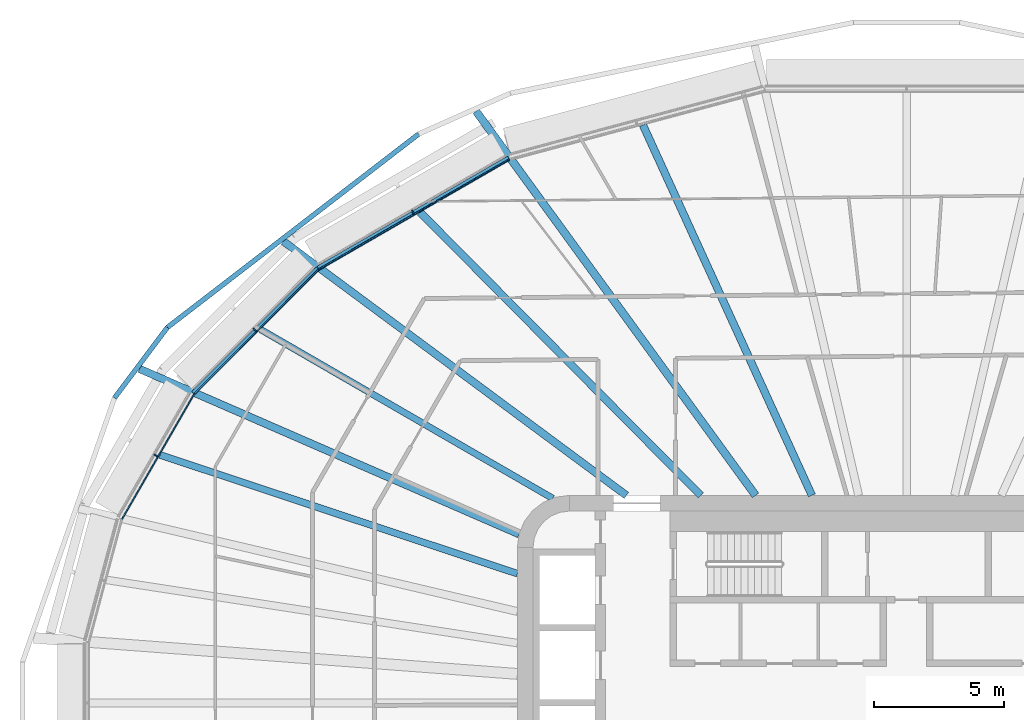
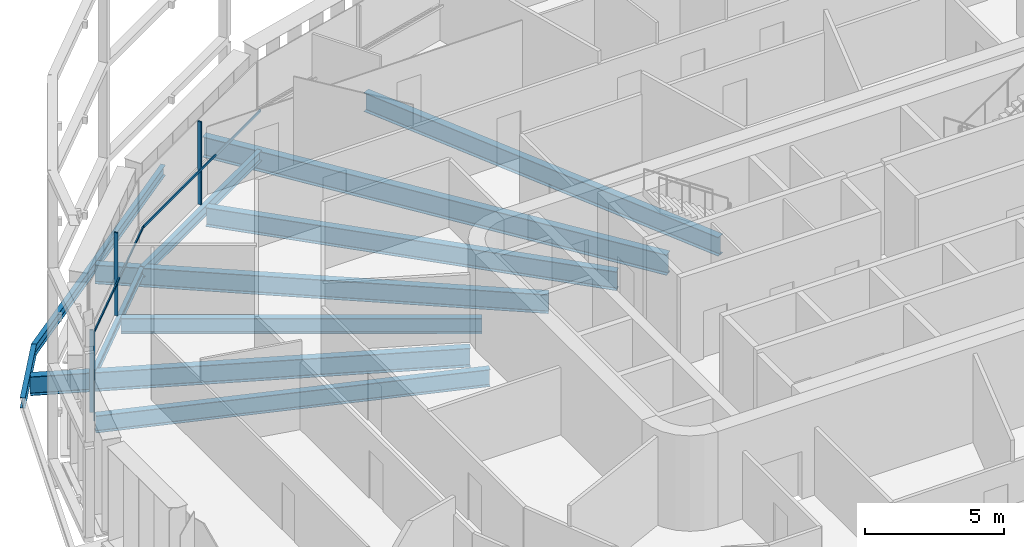
# One storey, part 7 of 26: 11 beams, 6 members, 3 elements without a shape of their own.
"""IFC4 building model written with IfcOpenShell, lengths in metres."""

from ifc_helpers import new_model, si_unit, direction, frame, origin, origin_2d, place, context, subcontext, project, spatial, rectangle, i_section, extrude, material, layer, layer_set, material_profile, profile_set, type_object, element, aggregate, save


model = new_model("IFC4")

# Units and contexts
model_context = context("Model", 3, precision=1e-05, world=origin(), true_north=direction((0.0, 1.0)))
body_context = subcontext(model_context, "Body", "Model", "MODEL_VIEW")
ifc_project = project(units=[si_unit("LENGTHUNIT", "METRE"), si_unit("AREAUNIT", "SQUARE_METRE"), si_unit("VOLUMEUNIT", "CUBIC_METRE"), si_unit("PLANEANGLEUNIT", "RADIAN"), si_unit("MASSUNIT", "GRAM", prefix="KILO")], contexts=[model_context])

# Site, building, storey
site_placement = place(None, origin())
site = spatial("IfcSite", under=ifc_project, at=site_placement, CompositionType="ELEMENT")
building_placement = place(site_placement, origin())
building = spatial("IfcBuilding", under=site, at=building_placement, Name="Sahrelin Media Tower", CompositionType="ELEMENT")
storey_placement = place(building_placement, frame((0.0, 0.0, 84.0)))
storey = spatial("IfcBuildingStorey", under=building, at=storey_placement, Name="L15", CompositionType="ELEMENT", Elevation=84.0)

# Beams
ifc_material_1 = material(Name="Steel S355", Category="steel")
ifc_material_profile_1 = material_profile(ifc_material_1, i_section(OverallWidth=0.17138671875, OverallDepth=0.35498046875, WebThickness=0.00732421875, FlangeThickness=0.011474609375, FilletRadius=0.01025390625, at=origin_2d()), Name="UB 356x171x51")
ifc_profile_set_1 = profile_set([ifc_material_profile_1], Name="Steel S355")
beam_type_1 = type_object("IfcBeamType", Name="Edge beam EB3", PredefinedType="BEAM", material=ifc_profile_set_1)
beam_1_placement = place(storey_placement, frame((-27.482666015625, 11.946044921875, -0.327392578125), z_axis=(0.707106781187, 0.707106781187, 0.0), x_axis=(-0.707106781187, 0.707106781187, 0.0)))
element("IfcBeam", 1, at=beam_1_placement, inside=storey, type_object=beam_type_1, Name="Edge beam L15-16", PredefinedType="BEAM", context=body_context, shape_type="SweptSolid", body=[
    extrude(i_section(OverallWidth=0.17138671875, OverallDepth=0.35498046875, WebThickness=0.00732421875, FlangeThickness=0.011474609375, FilletRadius=0.01025390625, at=origin_2d()), origin(), (0.0, 0.0, 1.0), 6.7783203125),
])
ifc_material_profile_2 = material_profile(ifc_material_1, i_section(OverallWidth=0.1904296875, OverallDepth=0.45703125, WebThickness=0.009033203125, FlangeThickness=0.014404296875, FilletRadius=0.01025390625, at=origin_2d()), Name="UB 457x191x74")
ifc_profile_set_2 = profile_set([ifc_material_profile_2], Name="Steel S355")
beam_type_2 = type_object("IfcBeamType", Name="Edge beam EB5", PredefinedType="BEAM", material=ifc_profile_set_2)
beam_2_placement = place(storey_placement, frame((-22.666748046875, 16.756591796875, -0.37841796875), z_axis=(0.866025712585, 0.499999465141, 0.0), x_axis=(-0.499999465141, 0.866025712585, 0.0)))
element("IfcBeam", 2, at=beam_2_placement, inside=storey, type_object=beam_type_2, Name="Edge beam L15-17", PredefinedType="BEAM", context=body_context, shape_type="SweptSolid", body=[
    extrude(i_section(OverallWidth=0.1904296875, OverallDepth=0.45703125, WebThickness=0.009033203125, FlangeThickness=0.014404296875, FilletRadius=0.01025390625, at=origin_2d()), origin(), (0.0, 0.0, 1.0), 8.46826171875),
])

# Curtain wall, member
ifc_material_2 = material(Name="Champagne anodised aluminium 6063-T6", Category="aluminium")
ifc_layer = layer(ifc_material_2, 0.14990234375)
ifc_layer_set = layer_set([ifc_layer], Name="Tower ribbon curtain wall")
curtain_wall_type = type_object("IfcCurtainWallType", Name="Tower ribbon curtain wall", PredefinedType="NOTDEFINED", material=ifc_layer_set)
curtain_wall_1_placement = place(storey_placement, frame((-19.074951171875, 19.003662109375, 0.0), z_axis=(0.0, 0.0, 1.0), x_axis=(1.0, 0.0, 0.0)))
curtain_wall_1 = element("IfcCurtainWall", 3, at=curtain_wall_1_placement, inside=storey, type_object=curtain_wall_type, Name="L15:CW:L15-08", PredefinedType="NOTDEFINED")
ifc_material_profile_3 = material_profile(ifc_material_2, rectangle(XDim=0.06005859375, YDim=0.14990234375, at=origin_2d()), Name="Mullion 60x150")
ifc_profile_set_3 = profile_set([ifc_material_profile_3], Name="Champagne anodised aluminium 6063-T6")
member_type_1 = type_object("IfcMemberType", Name="Mullion 60x150 CW1", PredefinedType="MULLION", material=ifc_profile_set_3)
member_1_placement = place(storey_placement, frame((-19.02734375, 18.92138671875, 0.0), z_axis=(0.0, 0.0, 1.0), x_axis=(-0.866022785779, -0.500004534492, 0.0)))
member_1 = element("IfcMember", 4, at=member_1_placement, type_object=member_type_1, Name="L15:CWM:L15-08", PredefinedType="MULLION", context=body_context, shape_type="SweptSolid", body=[
    extrude(rectangle(XDim=0.06005859375, YDim=0.14990234375, at=origin_2d()), origin(), (0.0, 0.0, 1.0), 3.648681640625),
])

curtain_wall_2_placement = place(storey_placement, frame((-25.192138671875, 14.44873046875, 0.0), z_axis=(0.0, 0.0, 1.0), x_axis=(1.0, 0.0, 0.0)))
curtain_wall_2 = element("IfcCurtainWall", 5, at=curtain_wall_2_placement, inside=storey, type_object=curtain_wall_type, Name="L15:CW:L15-09", PredefinedType="NOTDEFINED")
member_2_placement = place(storey_placement, frame((-25.125, 14.381591796875, 0.0), z_axis=(0.0, 0.0, 1.0), x_axis=(-0.707114185953, -0.707099376343, 0.0)))
member_2 = element("IfcMember", 6, at=member_2_placement, type_object=member_type_1, Name="L15:CWM:L15-09", PredefinedType="MULLION", context=body_context, shape_type="SweptSolid", body=[
    extrude(rectangle(XDim=0.06005859375, YDim=0.14990234375, at=origin_2d()), origin(), (0.0, 0.0, 1.0), 3.648681640625),
])

curtain_wall_3_placement = place(storey_placement, frame((-29.021484375, 9.58837890625, 0.0), z_axis=(0.0, 0.0, 1.0), x_axis=(1.0, 0.0, 0.0)))
curtain_wall_3 = element("IfcCurtainWall", 7, at=curtain_wall_3_placement, inside=storey, type_object=curtain_wall_type, Name="L15:CW:L15-10", PredefinedType="NOTDEFINED")
member_3_placement = place(storey_placement, frame((-28.939208984375, 9.540771484375, 0.0), z_axis=(0.0, 0.0, 1.0), x_axis=(-0.499990930976, -0.866030639725, 0.0)))
member_3 = element("IfcMember", 8, at=member_3_placement, type_object=member_type_1, Name="L15:CWM:L15-10", PredefinedType="MULLION", context=body_context, shape_type="SweptSolid", body=[
    extrude(rectangle(XDim=0.06005859375, YDim=0.14990234375, at=origin_2d()), origin(), (0.0, 0.0, 1.0), 3.648681640625),
])

# Beams
ifc_material_profile_4 = material_profile(ifc_material_1, i_section(OverallWidth=0.291748046875, OverallDepth=0.8349609375, WebThickness=0.013916015625, FlangeThickness=0.018798828125, FilletRadius=0.017822265625, at=origin_2d()), Name="UB 838x292x176")
ifc_profile_set_4 = profile_set([ifc_material_profile_4], Name="Steel S355")
beam_type_3 = type_object("IfcBeamType", Name="Radial primary beam PB10", PredefinedType="BEAM", material=ifc_profile_set_4)
beam_3_placement = place(storey_placement, frame((-10.798828125, 8.0, -0.5673828125), z_axis=(-0.803534849175, 0.595257714071, 0.0), x_axis=(-0.595257714071, -0.803534849175, 0.0)))
element("IfcBeam", 9, at=beam_3_placement, inside=storey, type_object=beam_type_3, Name="Radial beam L15-09", PredefinedType="BEAM", context=body_context, shape_type="SweptSolid", body=[
    extrude(i_section(OverallWidth=0.291748046875, OverallDepth=0.8349609375, WebThickness=0.013916015625, FlangeThickness=0.018798828125, FilletRadius=0.017822265625, at=origin_2d()), origin(), (0.0, 0.0, 1.0), 16.452880859375),
])
beam_4_placement = place(storey_placement, frame((-14.93359375, 6.5048828125, -0.5673828125), z_axis=(-0.916802102549, 0.399341839483, 0.0), x_axis=(-0.399341839483, -0.916802102549, 0.0)))
element("IfcBeam", 10, at=beam_4_placement, inside=storey, type_object=beam_type_3, Name="Radial beam L15-10", PredefinedType="BEAM", context=body_context, shape_type="SweptSolid", body=[
    extrude(i_section(OverallWidth=0.291748046875, OverallDepth=0.8349609375, WebThickness=0.013916015625, FlangeThickness=0.018798828125, FilletRadius=0.017822265625, at=origin_2d()), origin(), (0.0, 0.0, 1.0), 15.960693359375),
])
ifc_material_profile_5 = material_profile(ifc_material_1, i_section(OverallWidth=0.30322265625, OverallDepth=0.903076171875, WebThickness=0.01513671875, FlangeThickness=0.020263671875, FilletRadius=0.01904296875, at=origin_2d()), Name="UB 914x305x201")
ifc_profile_set_5 = profile_set([ifc_material_profile_5], Name="Steel S355")
beam_type_4 = type_object("IfcBeamType", Name="Radial primary beam PB11", PredefinedType="BEAM", material=ifc_profile_set_5)
beam_5_placement = place(storey_placement, frame((-5.8203125, 8.0, -0.6015625), z_axis=(-0.588305671359, 0.808638631928, 0.0), x_axis=(-0.808638631928, -0.588305671359, 0.0)))
element("IfcBeam", 11, at=beam_5_placement, inside=storey, type_object=beam_type_4, Name="Radial beam L15-08", PredefinedType="BEAM", context=body_context, shape_type="SweptSolid", body=[
    extrude(i_section(OverallWidth=0.30322265625, OverallDepth=0.903076171875, WebThickness=0.01513671875, FlangeThickness=0.020263671875, FilletRadius=0.01904296875, at=origin_2d()), origin(), (0.0, 0.0, 1.0), 18.310546875),
])
ifc_material_profile_6 = material_profile(ifc_material_1, i_section(OverallWidth=0.291748046875, OverallDepth=0.8349609375, WebThickness=0.013916015625, FlangeThickness=0.018798828125, FilletRadius=0.017822265625, at=origin_2d()), Name="UB 838x292x176")
ifc_profile_set_6 = profile_set([ifc_material_profile_6], Name="Steel S355")
beam_type_5 = type_object("IfcBeamType", Name="Radial secondary beam SB10", PredefinedType="BEAM", material=ifc_profile_set_6)
beam_6_placement = place(storey_placement, frame((-3.6494140625, 8.0, -0.5673828125), z_axis=(-0.415038402282, 0.909803893502, 0.0), x_axis=(-0.909803893502, -0.415038402282, 0.0)))
element("IfcBeam", 12, at=beam_6_placement, inside=storey, type_object=beam_type_5, Name="Secondary beam L15-07", PredefinedType="BEAM", context=body_context, shape_type="SweptSolid", body=[
    extrude(i_section(OverallWidth=0.291748046875, OverallDepth=0.8349609375, WebThickness=0.013916015625, FlangeThickness=0.018798828125, FilletRadius=0.017822265625, at=origin_2d()), origin(), (0.0, 0.0, 1.0), 15.687744140625),
])
beam_7_placement = place(storey_placement, frame((-7.93115234375, 8.0, -0.5673828125), z_axis=(-0.704056941584, 0.710143522823, 0.0), x_axis=(-0.710143522823, -0.704056941584, 0.0)))
element("IfcBeam", 13, at=beam_7_placement, inside=storey, type_object=beam_type_5, Name="Secondary beam L15-08", PredefinedType="BEAM", context=body_context, shape_type="SweptSolid", body=[
    extrude(i_section(OverallWidth=0.291748046875, OverallDepth=0.8349609375, WebThickness=0.013916015625, FlangeThickness=0.018798828125, FilletRadius=0.017822265625, at=origin_2d()), origin(), (0.0, 0.0, 1.0), 15.362548828125),
])
ifc_material_profile_7 = material_profile(ifc_material_1, i_section(OverallWidth=0.2529296875, OverallDepth=0.677978515625, WebThickness=0.01171875, FlangeThickness=0.01611328125, FilletRadius=0.01513671875, at=origin_2d()), Name="UB 686x254x125")
ifc_profile_set_7 = profile_set([ifc_material_profile_7], Name="Steel S355")
beam_type_6 = type_object("IfcBeamType", Name="Radial secondary beam SB8", PredefinedType="BEAM", material=ifc_profile_set_7)
beam_8_placement = place(storey_placement, frame((-13.63525390625, 7.88330078125, -0.489013671875), z_axis=(-0.865726960109, 0.500516563703, 0.0), x_axis=(-0.500516563703, -0.865726960109, 0.0)))
element("IfcBeam", 14, at=beam_8_placement, inside=storey, type_object=beam_type_6, Name="Secondary beam L15-09", PredefinedType="BEAM", context=body_context, shape_type="SweptSolid", body=[
    extrude(i_section(OverallWidth=0.2529296875, OverallDepth=0.677978515625, WebThickness=0.01171875, FlangeThickness=0.01611328125, FilletRadius=0.01513671875, at=origin_2d()), origin(), (0.0, 0.0, 1.0), 13.020263671875),
])
ifc_material_profile_8 = material_profile(ifc_material_1, i_section(OverallWidth=0.26513671875, OverallDepth=0.75390625, WebThickness=0.0126953125, FlangeThickness=0.017578125, FilletRadius=0.0166015625, at=origin_2d()), Name="UB 762x267x147")
ifc_profile_set_8 = profile_set([ifc_material_profile_8], Name="Steel S355")
beam_type_7 = type_object("IfcBeamType", Name="Radial secondary beam SB9", PredefinedType="BEAM", material=ifc_profile_set_8)
beam_9_placement = place(storey_placement, frame((-15.0, 4.983642578125, -0.527099609375), z_axis=(-0.948994110949, 0.315293795346, 0.0), x_axis=(-0.315293795346, -0.948994110949, 0.0)))
element("IfcBeam", 15, at=beam_9_placement, inside=storey, type_object=beam_type_7, Name="Secondary beam L15-10", PredefinedType="BEAM", context=body_context, shape_type="SweptSolid", body=[
    extrude(i_section(OverallWidth=0.26513671875, OverallDepth=0.75390625, WebThickness=0.0126953125, FlangeThickness=0.017578125, FilletRadius=0.0166015625, at=origin_2d()), origin(), (0.0, 0.0, 1.0), 14.510009765625),
])
ifc_material_profile_9 = material_profile(ifc_material_1, i_section(OverallWidth=0.1904296875, OverallDepth=0.45703125, WebThickness=0.009033203125, FlangeThickness=0.014404296875, FilletRadius=0.01025390625, at=origin_2d()), Name="UB 457x191x74")
ifc_profile_set_9 = profile_set([ifc_material_profile_9], Name="Steel S355")
beam_type_8 = type_object("IfcBeamType", Name="Tie chord TC5", PredefinedType="BEAM", material=ifc_profile_set_9)
beam_10_placement = place(storey_placement, frame((-18.803955078125, 21.927978515625, -0.37841796875), z_axis=(-0.792442022212, -0.609947244795, 0.0), x_axis=(0.609947244795, -0.792442022212, 0.0)))
element("IfcBeam", 16, at=beam_10_placement, inside=storey, type_object=beam_type_8, Name="Tie chord L15-09", PredefinedType="BEAM", context=body_context, shape_type="SweptSolid", body=[
    extrude(i_section(OverallWidth=0.1904296875, OverallDepth=0.45703125, WebThickness=0.009033203125, FlangeThickness=0.014404296875, FilletRadius=0.01025390625, at=origin_2d()), origin(), (0.0, 0.0, 1.0), 12.22216796875),
])
beam_11_placement = place(storey_placement, frame((-28.4892578125, 14.47314453125, -0.37841796875), z_axis=(-0.600080429002, -0.799939671931, 0.0), x_axis=(0.799939671931, -0.600080429002, 0.0)))
element("IfcBeam", 17, at=beam_11_placement, inside=storey, type_object=beam_type_8, Name="Tie chord L15-10", PredefinedType="BEAM", context=body_context, shape_type="SweptSolid", body=[
    extrude(i_section(OverallWidth=0.1904296875, OverallDepth=0.45703125, WebThickness=0.009033203125, FlangeThickness=0.014404296875, FilletRadius=0.01025390625, at=origin_2d()), origin(), (0.0, 0.0, 1.0), 3.399658203125),
])

# Member
ifc_material_profile_10 = material_profile(ifc_material_2, rectangle(XDim=0.050048828125, YDim=0.10009765625, at=origin_2d()), Name="Transom 50x100")
ifc_profile_set_10 = profile_set([ifc_material_profile_10], Name="Champagne anodised aluminium 6063-T6")
member_type_2 = type_object("IfcMemberType", Name="Transom 50x100 CW1", PredefinedType="USERDEFINED", material=ifc_profile_set_10)
member_4_placement = place(storey_placement, frame((-15.32421875, 20.94384765625, 1.60009765625), z_axis=(-0.866029933621, -0.499992154011, 0.0), x_axis=(0.499992154011, -0.866029933621, 0.0)))
member_4 = element("IfcMember", 18, at=member_4_placement, type_object=member_type_2, Name="L15:CWT:L15-08", ObjectType="TRANSOM", PredefinedType="USERDEFINED", context=body_context, shape_type="SweptSolid", body=[
    extrude(rectangle(XDim=0.050048828125, YDim=0.10009765625, at=origin_2d()), origin(), (0.0, 0.0, 1.0), 8.436767578125),
])

aggregate(curtain_wall_1, [member_1, member_4])

member_5_placement = place(storey_placement, frame((-22.6689453125, 16.6962890625, 1.60009765625), z_axis=(-0.707088688516, -0.707124873394, 0.0), x_axis=(0.707124873394, -0.707088688516, 0.0)))
member_5 = element("IfcMember", 19, at=member_5_placement, type_object=member_type_2, Name="L15:CWT:L15-09", ObjectType="TRANSOM", PredefinedType="USERDEFINED", context=body_context, shape_type="SweptSolid", body=[
    extrude(rectangle(XDim=0.050048828125, YDim=0.10009765625, at=origin_2d()), origin(), (0.0, 0.0, 1.0), 6.7470703125),
])

aggregate(curtain_wall_2, [member_2, member_5])

member_6_placement = place(storey_placement, frame((-27.468994140625, 11.88720703125, 1.60009765625), z_axis=(-0.500001219746, -0.866024699562, 0.0), x_axis=(0.866024699562, -0.500001219746, 0.0)))
member_6 = element("IfcMember", 20, at=member_6_placement, type_object=member_type_2, Name="L15:CWT:L15-10", ObjectType="TRANSOM", PredefinedType="USERDEFINED", context=body_context, shape_type="SweptSolid", body=[
    extrude(rectangle(XDim=0.050048828125, YDim=0.10009765625, at=origin_2d()), origin(), (0.0, 0.0, 1.0), 5.5341796875),
])

aggregate(curtain_wall_3, [member_3, member_6])

save(model, "model.ifc")
